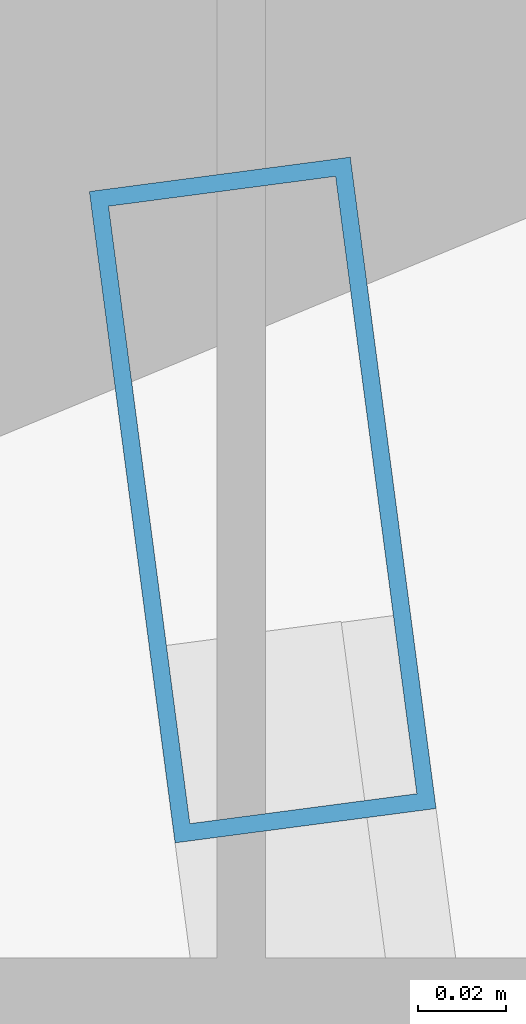
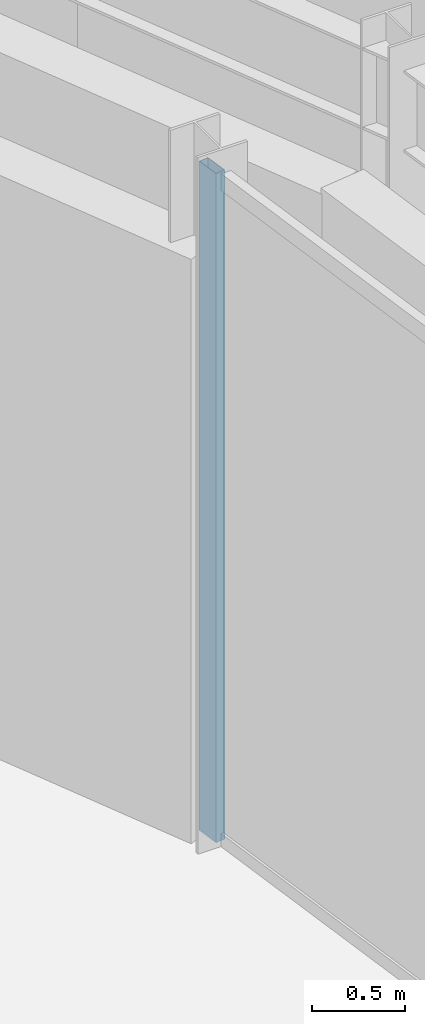
# One storey, part 28 of 116: 1 member, 1 element without a shape of its own.
"""IFC4 building model written with IfcOpenShell, lengths in metres."""

from ifc_helpers import new_model, si_unit, direction, frame, origin, origin_2d, place, context, subcontext, project, spatial, hollow_rectangle, extrude, material, material_profile, profile_set, type_object, element, aggregate, save


model = new_model("IFC4")

# Units and contexts
model_context = context("Model", 3, precision=1e-05, world=origin(), true_north=direction((0.0, 1.0)))
body_context = subcontext(model_context, "Body", "Model", "MODEL_VIEW")
ifc_project = project(units=[si_unit("LENGTHUNIT", "METRE"), si_unit("AREAUNIT", "SQUARE_METRE"), si_unit("VOLUMEUNIT", "CUBIC_METRE"), si_unit("PLANEANGLEUNIT", "RADIAN"), si_unit("MASSUNIT", "GRAM", prefix="KILO")], contexts=[model_context])

# Site, building, storey
site_placement = place(None, origin())
site = spatial("IfcSite", under=ifc_project, at=site_placement, CompositionType="ELEMENT")
building_placement = place(site_placement, origin())
building = spatial("IfcBuilding", under=site, at=building_placement, Name="Almandine Court Research Institute", CompositionType="ELEMENT")
storey_placement = place(building_placement, frame((0.0, 0.0, 14.35009765625)))
storey = spatial("IfcBuildingStorey", under=building, at=storey_placement, Name="L03", CompositionType="ELEMENT", Elevation=14.35009765625)

# Curtain wall, member
ifc_material_1 = material(Name="Unitised Curtain Wall Framing and Solar Glazing", Category="glass")
curtain_wall_type = type_object("IfcCurtainWallType", Name="CW-CWG-24", PredefinedType="USERDEFINED", material=ifc_material_1)
curtain_wall_placement = place(storey_placement, origin())
curtain_wall = element("IfcCurtainWall", 1, at=curtain_wall_placement, inside=storey, type_object=curtain_wall_type, Name="L03 Interaction Atrium Perimeter Curtain Wall 00", ObjectType="UNITISED GLAZING", PredefinedType="USERDEFINED")
ifc_material_2 = material(Name="Anodised Aluminium AW-6063-T6", Category="aluminium")
ifc_material_profile = material_profile(ifc_material_2, hollow_rectangle(XDim=0.06005859375, YDim=0.14990234375, WallThickness=0.00390625, at=origin_2d()), Name="ALU RHS 60x150x4")
ifc_profile_set = profile_set([ifc_material_profile], Name="Anodised Aluminium AW-6063-T6")
member_type = type_object("IfcMemberType", Name="CWMul-60x150", PredefinedType="MULLION", material=ifc_profile_set)
member_placement = place(storey_placement, frame((123.371826171875, 65.711181640625, 0.0), z_axis=(0.0, 0.0, 1.0), x_axis=(0.991443548509, 0.130536164028, 0.0)))
member = element("IfcMember", 2, at=member_placement, type_object=member_type, Name="CWG-24 mullion 1", PredefinedType="MULLION", context=body_context, shape_type="SweptSolid", body=[
    extrude(hollow_rectangle(XDim=0.06005859375, YDim=0.14990234375, WallThickness=0.00390625, at=origin_2d()), origin(), (0.0, 0.0, 1.0), 4.369873046875),
])
aggregate(curtain_wall, [member])

save(model, "model.ifc")
